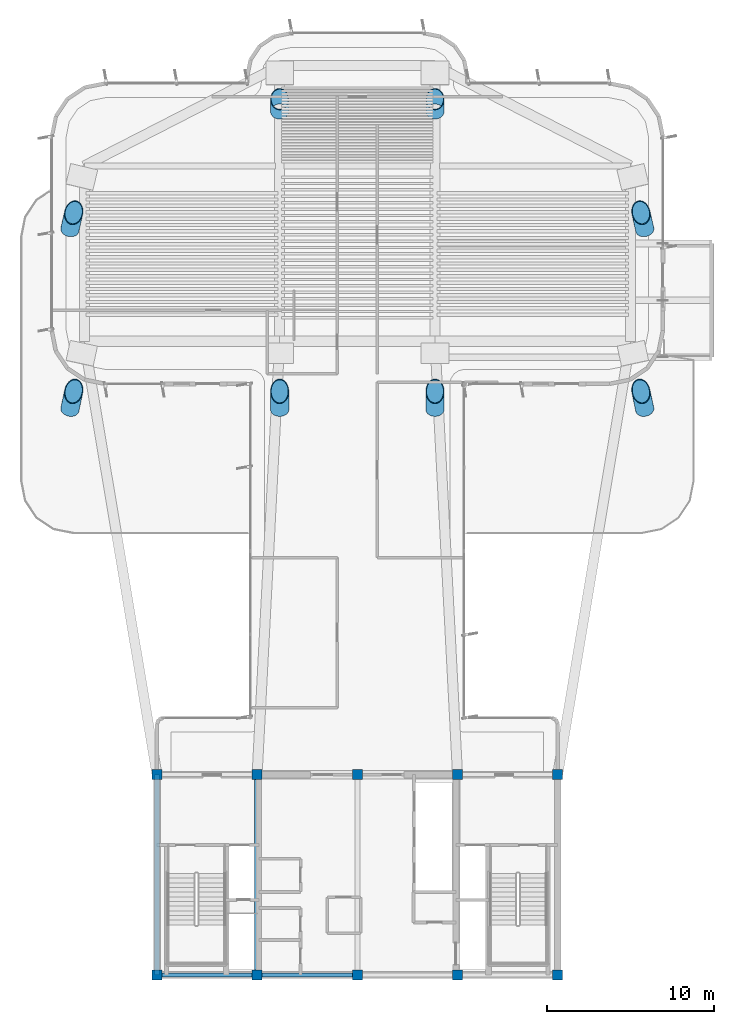
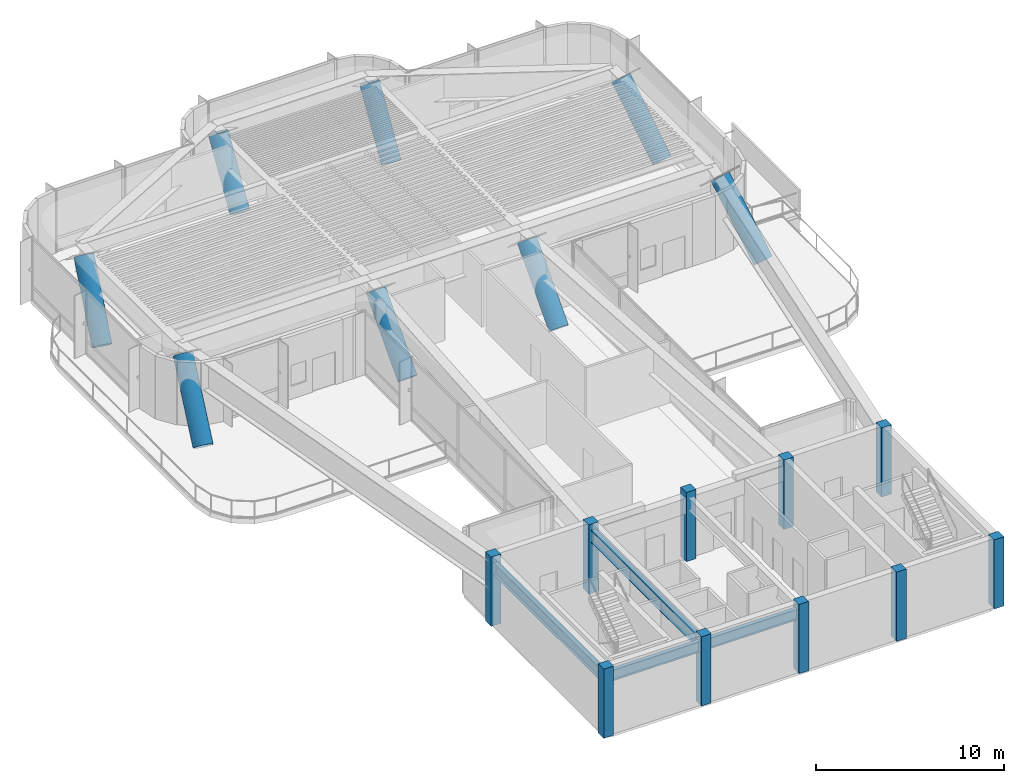
# One storey, part 1 of 16: 18 columns, 4 beams.
"""IFC4 building model written with IfcOpenShell, lengths in metres."""

from ifc_helpers import new_model, si_unit, direction, frame, origin, origin_2d, place, context, subcontext, project, spatial, rectangle, hollow_circle, i_section, extrude, source, transform, mapped, material, material_profile, profile_set, type_object, element, save


model = new_model("IFC4")

# Units and contexts
model_context = context("Model", 3, precision=1e-05, world=origin(), true_north=direction((0.0, 1.0)))
body_context = subcontext(model_context, "Body", "Model", "MODEL_VIEW")
ifc_project = project(units=[si_unit("LENGTHUNIT", "METRE"), si_unit("AREAUNIT", "SQUARE_METRE"), si_unit("VOLUMEUNIT", "CUBIC_METRE"), si_unit("PLANEANGLEUNIT", "RADIAN"), si_unit("MASSUNIT", "GRAM", prefix="KILO")], contexts=[model_context])

# Site, building, storey
site_placement = place(None, origin())
site = spatial("IfcSite", under=ifc_project, at=site_placement, CompositionType="ELEMENT")
building_placement = place(site_placement, origin())
building = spatial("IfcBuilding", under=site, at=building_placement, Name="Brelvock Crest Care Tower", CompositionType="ELEMENT")
storey_placement = place(building_placement, frame((0.0, 0.0, 218.52001953125)))
storey = spatial("IfcBuildingStorey", under=building, at=storey_placement, Name="L55", CompositionType="ELEMENT", Elevation=218.52001953125)

# Columns
ifc_material_1 = material(Name="Concrete S65 (65 MPa)", Category="concrete")
ifc_material_profile_1 = material_profile(ifc_material_1, rectangle(XDim=0.60009765625, YDim=0.60009765625, at=origin_2d()), Name="RC600x600")
ifc_profile_set_1 = profile_set([ifc_material_profile_1], Name="Concrete S65 (65 MPa)")
column_type_1 = type_object("IfcColumnType", Name="COL-RC4", PredefinedType="COLUMN", material=ifc_profile_set_1)
shared_shape_1 = source(origin(), body_context, "Body", "SweptSolid", [
    extrude(rectangle(XDim=0.60009765625, YDim=0.60009765625, at=origin_2d()), origin(), (0.0, 0.0, 1.0), 4.5),
])
for number, where, z_axis, x_axis, name in (
    (1, (24.0, 6.0, 0.0), (0.0, 0.0, 1.0), (1.0, 0.0, 0.0), "L55 Core Column CC-01"),
    (2, (30.0, 6.0, 0.0), (0.0, 0.0, 1.0), (1.0, 0.0, 0.0), "L55 Core Column CC-02"),
    (3, (36.0, 6.0, 0.0), (0.0, 0.0, 1.0), (1.0, 0.0, 0.0), "L55 Core Column CC-03"),
    (4, (42.0, 6.0, 0.0), (0.0, 0.0, 1.0), (1.0, 0.0, 0.0), "L55 Core Column CC-04"),
    (5, (48.0, 6.0, 0.0), (0.0, 0.0, 1.0), (1.0, 0.0, 0.0), "L55 Core Column CC-05"),
    (6, (24.0, 18.0, 0.0), (0.0, 0.0, 1.0), (1.0, 0.0, 0.0), "L55 Core Column CC-06"),
    (7, (30.0, 18.0, 0.0), (0.0, 0.0, 1.0), (1.0, 0.0, 0.0), "L55 Core Column CC-07"),
    (8, (36.0, 18.0, 0.0), (0.0, 0.0, 1.0), (1.0, 0.0, 0.0), "L55 Core Column CC-08"),
    (9, (42.0, 18.0, 0.0), (0.0, 0.0, 1.0), (1.0, 0.0, 0.0), "L55 Core Column CC-09"),
    (10, (48.0, 18.0, 0.0), (0.0, 0.0, 1.0), (1.0, 0.0, 0.0), "L55 Core Column CC-10"),
):
    element("IfcColumn", number, at=place(storey_placement, frame(where, z_axis=z_axis, x_axis=x_axis)), inside=storey, type_object=column_type_1, Name=name, PredefinedType="COLUMN", context=body_context, shape_type="MappedRepresentation", body=[
        mapped(shared_shape_1, transform((0.0, 0.0, 0.0), x_axis=(1.0, 0.0, 0.0), y_axis=(0.0, 1.0, 0.0), z_axis=(0.0, 0.0, 1.0), scale=1.0)),
    ])
ifc_material_2 = material(Name="Steel Grade 350", Category="steel")
ifc_material_profile_2 = material_profile(ifc_material_2, hollow_circle(Radius=0.550048828125, WallThickness=0.0400390625, at=origin_2d()), Name="CFT1100x40")
ifc_profile_set_2 = profile_set([ifc_material_profile_2], Name="Steel Grade 350")
column_type_2 = type_object("IfcColumnType", Name="COL-MC3", PredefinedType="COLUMN", material=ifc_profile_set_2)
shared_shape_2 = source(origin(), body_context, "Body", "SweptSolid", [
    extrude(hollow_circle(Radius=0.550048828125, WallThickness=0.0400390625, at=origin_2d()), origin(), (0.0, 0.0, 1.0), 5.048583984375),
])
for number, where, z_axis, x_axis, name in (
    (11, (18.786376953125, 39.859130859375, 0.0), (0.140579075129, 0.665997599821, 0.73258768804), (-0.978440346297, 0.206529631621, 0.0), "L55 Raked Mega-Column M1"),
    (12, (53.213623046875, 39.859130859375, 0.0), (-0.140579075129, 0.665997599821, 0.73258768804), (-0.978440346297, -0.206529631621, 0.0), "L55 Raked Mega-Column M3"),
):
    element("IfcColumn", number, at=place(storey_placement, frame(where, z_axis=z_axis, x_axis=x_axis)), inside=storey, type_object=column_type_2, Name=name, PredefinedType="COLUMN", context=body_context, shape_type="MappedRepresentation", body=[
        mapped(shared_shape_2, transform((0.0, 0.0, 0.0), x_axis=(1.0, 0.0, 0.0), y_axis=(0.0, 1.0, 0.0), z_axis=(0.0, 0.0, 1.0), scale=1.0)),
    ])
shared_shape_3 = source(origin(), body_context, "Body", "SweptSolid", [
    extrude(hollow_circle(Radius=0.550048828125, WallThickness=0.0400390625, at=origin_2d()), origin(), (0.0, 0.0, 1.0), 4.919921875),
])
for number, where, z_axis, x_axis, name in (
    (13, (18.786376953125, 50.6318359375, 0.0), (0.144797912538, 0.640177474177, 0.754457663545), (-0.975361817364, 0.220611253629, 0.0), "L55 Raked Mega-Column M2"),
    (14, (53.213623046875, 50.6318359375, 0.0), (-0.144797912538, 0.640177474177, 0.754457663545), (-0.975361817364, -0.220611253629, 0.0), "L55 Raked Mega-Column M4"),
):
    element("IfcColumn", number, at=place(storey_placement, frame(where, z_axis=z_axis, x_axis=x_axis)), inside=storey, type_object=column_type_2, Name=name, PredefinedType="COLUMN", context=body_context, shape_type="MappedRepresentation", body=[
        mapped(shared_shape_3, transform((0.0, 0.0, 0.0), x_axis=(1.0, 0.0, 0.0), y_axis=(0.0, 1.0, 0.0), z_axis=(0.0, 0.0, 1.0), scale=1.0)),
    ])
shared_shape_4 = source(origin(), body_context, "Body", "SweptSolid", [
    extrude(hollow_circle(Radius=0.550048828125, WallThickness=0.0400390625, at=origin_2d()), origin(), (0.0, 0.0, 1.0), 5.00439453125),
])
for number, where, z_axis, x_axis, name in (
    (15, (31.35009765625, 39.859130859375, 0.0), (0.0, 0.672694647561, 0.739920205929), (-1.0, 0.0, 0.0), "L55 Raked Mega-Column M5"),
    (16, (40.64990234375, 39.859130859375, 0.0), (0.0, 0.672694647561, 0.739920205929), (-1.0, 0.0, 0.0), "L55 Raked Mega-Column M6"),
):
    element("IfcColumn", number, at=place(storey_placement, frame(where, z_axis=z_axis, x_axis=x_axis)), inside=storey, type_object=column_type_2, Name=name, PredefinedType="COLUMN", context=body_context, shape_type="MappedRepresentation", body=[
        mapped(shared_shape_4, transform((0.0, 0.0, 0.0), x_axis=(1.0, 0.0, 0.0), y_axis=(0.0, 1.0, 0.0), z_axis=(0.0, 0.0, 1.0), scale=1.0)),
    ])
shared_shape_5 = source(origin(), body_context, "Body", "SweptSolid", [
    extrude(hollow_circle(Radius=0.550048828125, WallThickness=0.0400390625, at=origin_2d()), origin(), (0.0, 0.0, 1.0), 4.42919921875),
])
for number, where, z_axis, x_axis, name in (
    (17, (31.35009765625, 57.72265625, 0.0), (0.0, 0.518300494478, 0.855198571926), (-1.0, 0.0, 0.0), "L55 Raked Mega-Column M7"),
    (18, (40.64990234375, 57.72265625, 0.0), (0.0, 0.518300494478, 0.855198571926), (-1.0, 0.0, 0.0), "L55 Raked Mega-Column M8"),
):
    element("IfcColumn", number, at=place(storey_placement, frame(where, z_axis=z_axis, x_axis=x_axis)), inside=storey, type_object=column_type_2, Name=name, PredefinedType="COLUMN", context=body_context, shape_type="MappedRepresentation", body=[
        mapped(shared_shape_5, transform((0.0, 0.0, 0.0), x_axis=(1.0, 0.0, 0.0), y_axis=(0.0, 1.0, 0.0), z_axis=(0.0, 0.0, 1.0), scale=1.0)),
    ])

# Beams
ifc_material_profile_3 = material_profile(ifc_material_2, i_section(OverallWidth=0.25, OverallDepth=0.699951171875, WebThickness=0.011962890625, FlangeThickness=0.02001953125, at=origin_2d()), Name="700WB150")
ifc_profile_set_3 = profile_set([ifc_material_profile_3], Name="Steel Grade 350")
beam_type_1 = type_object("IfcBeamType", Name="BM-G4", PredefinedType="BEAM", material=ifc_profile_set_3)
shared_shape_6 = source(origin(), body_context, "Body", "SweptSolid", [
    extrude(i_section(OverallWidth=0.25, OverallDepth=0.699951171875, WebThickness=0.011962890625, FlangeThickness=0.02001953125, at=origin_2d()), origin(), (0.0, 0.0, 1.0), 6.0),
])
for number, where, z_axis, x_axis, name in (
    (19, (24.0, 6.0, 3.741943359375), (1.0, 0.0, 0.0), (0.0, 1.0, 0.0), "BM-CORES-L55-1"),
    (20, (30.0, 6.0, 3.741943359375), (1.0, 0.0, 0.0), (0.0, 1.0, 0.0), "BM-CORES-L55-2"),
):
    element("IfcBeam", number, at=place(storey_placement, frame(where, z_axis=z_axis, x_axis=x_axis)), inside=storey, type_object=beam_type_1, Name=name, PredefinedType="BEAM", context=body_context, shape_type="MappedRepresentation", body=[
        mapped(shared_shape_6, transform((0.0, 0.0, 0.0), x_axis=(1.0, 0.0, 0.0), y_axis=(0.0, 1.0, 0.0), z_axis=(0.0, 0.0, 1.0), scale=1.0)),
    ])
ifc_material_profile_4 = material_profile(ifc_material_2, i_section(OverallWidth=0.300048828125, OverallDepth=0.800048828125, WebThickness=0.013916015625, FlangeThickness=0.02197265625, at=origin_2d()), Name="800WB192")
ifc_profile_set_4 = profile_set([ifc_material_profile_4], Name="Steel Grade 350")
beam_type_2 = type_object("IfcBeamType", Name="BM-G5", PredefinedType="BEAM", material=ifc_profile_set_4)
shared_shape_7 = source(origin(), body_context, "Body", "SweptSolid", [
    extrude(i_section(OverallWidth=0.300048828125, OverallDepth=0.800048828125, WebThickness=0.013916015625, FlangeThickness=0.02197265625, at=origin_2d()), origin(), (0.0, 0.0, 1.0), 12.0),
])
for number, where, z_axis, x_axis, name in (
    (21, (24.0, 6.0, 3.69189453125), (0.0, 1.0, 0.0), (-1.0, 0.0, 0.0), "BM-COREX-L55-1"),
    (22, (30.0, 6.0, 3.69189453125), (0.0, 1.0, 0.0), (-1.0, 0.0, 0.0), "BM-COREX-L55-2"),
):
    element("IfcBeam", number, at=place(storey_placement, frame(where, z_axis=z_axis, x_axis=x_axis)), inside=storey, type_object=beam_type_2, Name=name, PredefinedType="BEAM", context=body_context, shape_type="MappedRepresentation", body=[
        mapped(shared_shape_7, transform((0.0, 0.0, 0.0), x_axis=(1.0, 0.0, 0.0), y_axis=(0.0, 1.0, 0.0), z_axis=(0.0, 0.0, 1.0), scale=1.0)),
    ])

save(model, "model.ifc")
